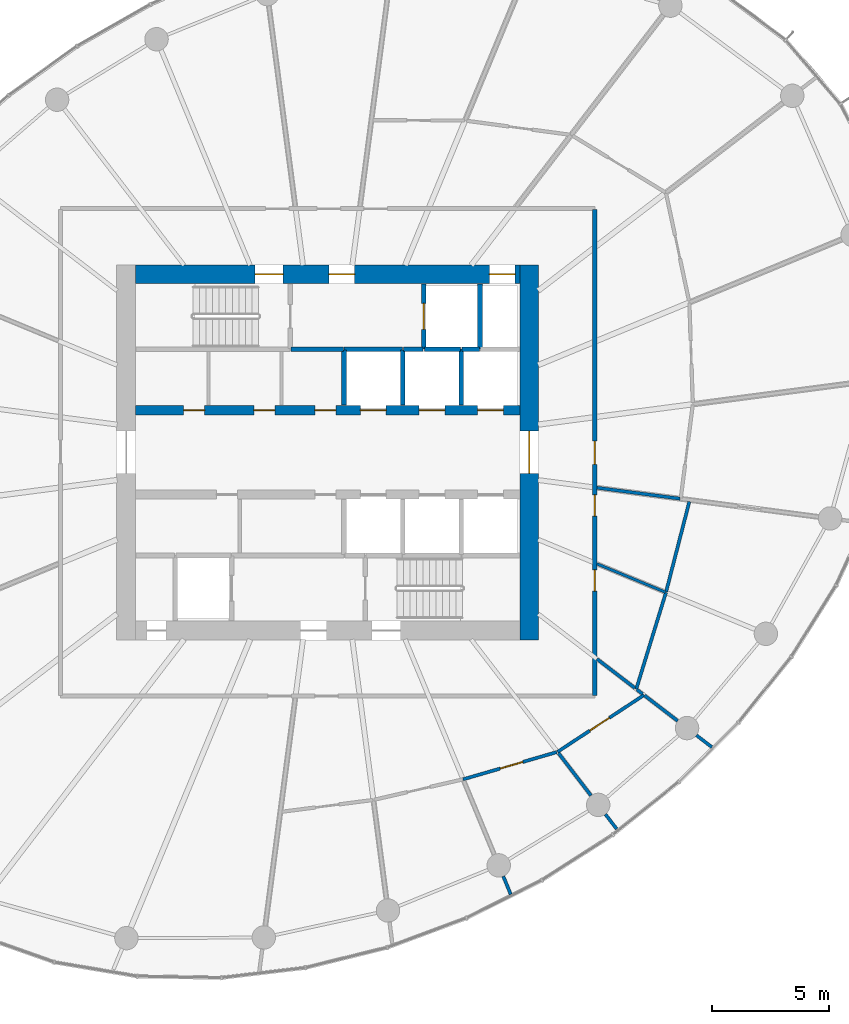
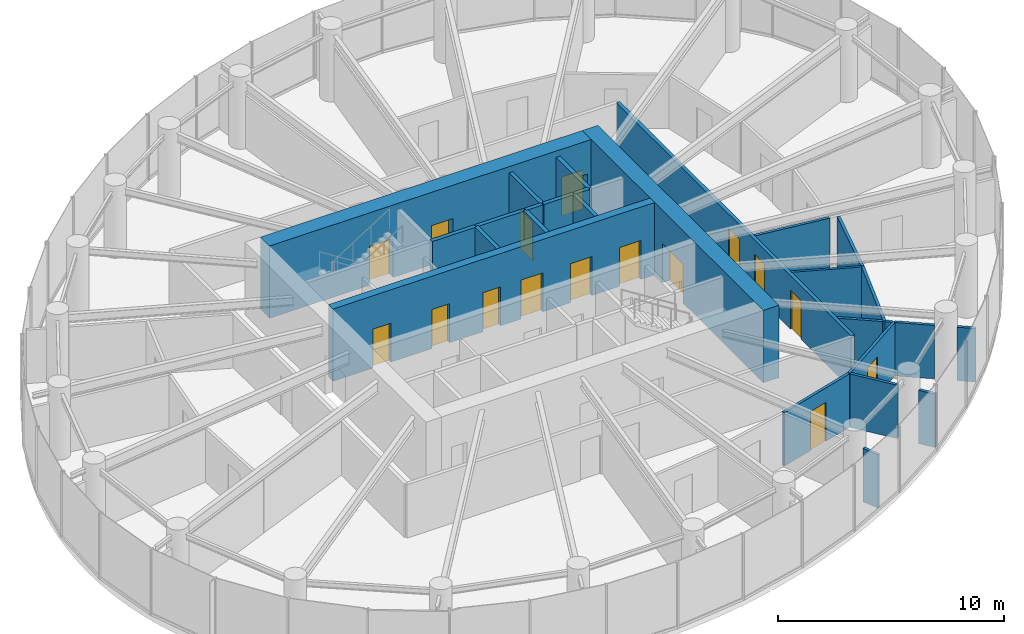
# One storey, part 10 of 14: 27 walls, 16 doors, 16 openings.
"""IFC4 building model written with IfcOpenShell, lengths in metres."""

from ifc_helpers import new_model, si_unit, direction, frame, frame_2d, origin, place, context, subcontext, project, spatial, rectangle, extrude, source, transform, mapped, material, layer, layer_set, type_object, element, fill, save


model = new_model("IFC4")

# Units and contexts
model_context = context("Model", 3, precision=1e-05, world=origin(), true_north=direction((0.0, 1.0)))
body_context = subcontext(model_context, "Body", "Model", "MODEL_VIEW")
ifc_project = project(units=[si_unit("LENGTHUNIT", "METRE"), si_unit("AREAUNIT", "SQUARE_METRE"), si_unit("VOLUMEUNIT", "CUBIC_METRE"), si_unit("PLANEANGLEUNIT", "RADIAN"), si_unit("MASSUNIT", "GRAM", prefix="KILO")], contexts=[model_context])

# Site, building, storey
site_placement = place(None, origin())
site = spatial("IfcSite", under=ifc_project, at=site_placement, CompositionType="ELEMENT")
building_placement = place(site_placement, origin())
building = spatial("IfcBuilding", under=site, at=building_placement, Name="Spindrift Exchange Tower", CompositionType="ELEMENT")
storey_placement = place(building_placement, frame((0.0, 0.0, 144.800048828125)))
storey = spatial("IfcBuildingStorey", under=building, at=storey_placement, Name="L34", CompositionType="ELEMENT", Elevation=144.800048828125)

# Wall, opening, door
ifc_material_1 = material(Name="Concrete 65 MPa", Category="concrete")
ifc_layer_1 = layer(ifc_material_1, 0.800048828125)
ifc_layer_set_1 = layer_set([ifc_layer_1], Name="RC Core Wall 800 Concrete 65 MPa")
wall_type_1 = type_object("IfcWallType", Name="RC Core Wall 800 Concrete 65 MPa", PredefinedType="SHEAR", material=ifc_layer_set_1)
wall_1_placement = place(storey_placement, frame((60.60009765625, 40.0, 0.0), z_axis=(0.0, 0.0, 1.0), x_axis=(0.0, 1.0, 0.0)))
wall_1 = element("IfcWall", 1, at=wall_1_placement, inside=storey, type_object=wall_type_1, Name="Core wall E L34", PredefinedType="SHEAR", context=body_context, shape_type="SweptSolid", body=[
    extrude(rectangle(XDim=16.0, YDim=0.800048828125, at=frame_2d((8.0, 0.0))), origin(), (0.0, 0.0, 1.0), 3.89990234375),
])
opening_1_placement = place(wall_1_placement, frame((7.10009765625, 0.0, 0.0)))
opening_1 = element("IfcOpeningElement", 2, at=opening_1_placement, cuts=wall_1, Name="Opening L34-D2", PredefinedType="OPENING", context=body_context, shape_type="SweptSolid", body=[
    extrude(rectangle(XDim=1.800048828125, YDim=2.10009765625, at=frame_2d((0.89990234375, 1.050048828125))), frame((0.0, 0.409912109375, 0.0), z_axis=(0.0, -1.0, 0.0), x_axis=(1.0, 0.0, 0.0)), (0.0, 0.0, 1.0), 0.820068359375),
])
ifc_material_2 = material(Name="Timber-core fire door", Category="wood")
door_type_1 = type_object("IfcDoorType", Name="DR-LOBBY-1800", OperationType="NOTDEFINED", PredefinedType="DOOR", material=ifc_material_2)
shared_shape_1 = source(origin(), body_context, "Body", "SweptSolid", [
    extrude(rectangle(XDim=1.800048828125, YDim=2.10009765625, at=frame_2d((0.89990234375, 1.050048828125))), frame((0.0, 0.02490234375, 0.0), z_axis=(0.0, -1.0, 0.0), x_axis=(1.0, 0.0, 0.0)), (0.0, 0.0, 1.0), 0.050048828125),
])
door_1_placement = place(opening_1_placement, origin())
door_1 = element("IfcDoor", 3, at=door_1_placement, inside=storey, type_object=door_type_1, Name="L34 Lobby door 2", OperationType="SINGLE_SWING_RIGHT", OverallHeight=2.10009765625, OverallWidth=1.800048828125, PredefinedType="DOOR", context=body_context, shape_type="MappedRepresentation", body=[
    mapped(shared_shape_1, transform((0.0, 0.0, 0.0), scale=1.0)),
])
fill(opening_1, door_1)

# Wall, openings, doors
wall_2_placement = place(storey_placement, frame((60.199951171875, 55.60009765625, 0.0), z_axis=(0.0, 0.0, 1.0), x_axis=(-1.0, 0.0, 0.0)))
wall_2 = element("IfcWall", 4, at=wall_2_placement, inside=storey, type_object=wall_type_1, Name="Core wall N L34", PredefinedType="SHEAR", context=body_context, shape_type="SweptSolid", body=[
    extrude(rectangle(XDim=16.39990234375, YDim=0.800048828125, at=frame_2d((8.199951171875, 0.0))), origin(), (0.0, 0.0, 1.0), 3.89990234375),
])
opening_2_placement = place(wall_2_placement, frame((0.199951171875, 0.0, 0.0)))
opening_2 = element("IfcOpeningElement", 5, at=opening_2_placement, cuts=wall_2, Name="Opening L34-D11", PredefinedType="OPENING", context=body_context, shape_type="SweptSolid", body=[
    extrude(rectangle(XDim=1.10009765625, YDim=2.10009765625, at=frame_2d((0.550048828125, 1.050048828125))), frame((0.0, 0.409912109375, 0.0), z_axis=(0.0, -1.0, 0.0), x_axis=(1.0, 0.0, 0.0)), (0.0, 0.0, 1.0), 0.820068359375),
])
opening_3_placement = place(wall_2_placement, frame((10.10009765625, 0.0, 0.0)))
opening_3 = element("IfcOpeningElement", 6, at=opening_3_placement, cuts=wall_2, Name="Opening L34-D12", PredefinedType="OPENING", context=body_context, shape_type="SweptSolid", body=[
    extrude(rectangle(XDim=1.199951171875, YDim=2.10009765625, at=frame_2d((0.60009765625, 1.050048828125))), frame((0.0, 0.409912109375, 0.0), z_axis=(0.0, -1.0, 0.0), x_axis=(1.0, 0.0, 0.0)), (0.0, 0.0, 1.0), 0.820068359375),
])
opening_4_placement = place(wall_2_placement, frame((7.050048828125, 0.0, 0.0)))
opening_4 = element("IfcOpeningElement", 7, at=opening_4_placement, cuts=wall_2, Name="Opening L34-D14", PredefinedType="OPENING", context=body_context, shape_type="SweptSolid", body=[
    extrude(rectangle(XDim=1.10009765625, YDim=2.10009765625, at=frame_2d((0.550048828125, 1.050048828125))), frame((0.0, 0.409912109375, 0.0), z_axis=(0.0, -1.0, 0.0), x_axis=(1.0, 0.0, 0.0)), (0.0, 0.0, 1.0), 0.820068359375),
])
ifc_material_3 = material(Name="Stainless steel landing door", Category="steel")
door_type_2 = type_object("IfcDoorType", Name="DR-LANDING-1100-SL", OperationType="DOUBLE_DOOR_SLIDING", PredefinedType="USERDEFINED", material=ifc_material_3)
shared_shape_2 = source(origin(), body_context, "Body", "SweptSolid", [
    extrude(rectangle(XDim=1.10009765625, YDim=2.10009765625, at=frame_2d((0.550048828125, 1.050048828125))), frame((0.0, 0.02490234375, 0.0), z_axis=(0.0, -1.0, 0.0), x_axis=(1.0, 0.0, 0.0)), (0.0, 0.0, 1.0), 0.050048828125),
])
door_2_placement = place(opening_2_placement, origin())
door_2 = element("IfcDoor", 8, at=door_2_placement, inside=storey, type_object=door_type_2, Name="L34 Lift landing door 11", ObjectType="LANDING DOOR", OperationType="DOUBLE_DOOR_SLIDING", OverallHeight=2.10009765625, OverallWidth=1.10009765625, PredefinedType="USERDEFINED", context=body_context, shape_type="MappedRepresentation", body=[
    mapped(shared_shape_2, transform((0.0, 0.0, 0.0), scale=1.0)),
])
fill(opening_2, door_2)
ifc_material_4 = material(Name="Steel fire door", Category="steel")
door_type_3 = type_object("IfcDoorType", Name="DR-STAIR-1200", OperationType="NOTDEFINED", PredefinedType="DOOR", material=ifc_material_4)
shared_shape_3 = source(origin(), body_context, "Body", "SweptSolid", [
    extrude(rectangle(XDim=1.199951171875, YDim=2.10009765625, at=frame_2d((0.60009765625, 1.050048828125))), frame((0.0, 0.02490234375, 0.0), z_axis=(0.0, -1.0, 0.0), x_axis=(1.0, 0.0, 0.0)), (0.0, 0.0, 1.0), 0.050048828125),
])
door_3_placement = place(opening_3_placement, origin())
door_3 = element("IfcDoor", 9, at=door_3_placement, inside=storey, type_object=door_type_3, Name="L34 Stair door 12", OperationType="SINGLE_SWING_LEFT", OverallHeight=2.10009765625, OverallWidth=1.199951171875, PredefinedType="DOOR", context=body_context, shape_type="MappedRepresentation", body=[
    mapped(shared_shape_3, transform((0.0, 0.0, 0.0), scale=1.0)),
])
fill(opening_3, door_3)
door_type_4 = type_object("IfcDoorType", Name="DR-LOBBY-1100", OperationType="NOTDEFINED", PredefinedType="DOOR", material=ifc_material_2)
shared_shape_4 = source(origin(), body_context, "Body", "SweptSolid", [
    extrude(rectangle(XDim=1.10009765625, YDim=2.10009765625, at=frame_2d((0.550048828125, 1.050048828125))), frame((0.0, 0.02490234375, 0.0), z_axis=(0.0, -1.0, 0.0), x_axis=(1.0, 0.0, 0.0)), (0.0, 0.0, 1.0), 0.050048828125),
])
door_4_placement = place(opening_4_placement, origin())
door_4 = element("IfcDoor", 10, at=door_4_placement, inside=storey, type_object=door_type_4, Name="L34 Lobby door 14", OperationType="SINGLE_SWING_LEFT", OverallHeight=2.10009765625, OverallWidth=1.10009765625, PredefinedType="DOOR", context=body_context, shape_type="MappedRepresentation", body=[
    mapped(shared_shape_4, transform((0.0, 0.0, 0.0), scale=1.0)),
])
fill(opening_4, door_4)

ifc_layer_2 = layer(ifc_material_1, 0.39990234375)
ifc_layer_set_2 = layer_set([ifc_layer_2], Name="RC Spine Wall 400 Concrete 65 MPa")
wall_type_2 = type_object("IfcWallType", Name="RC Spine Wall 400 Concrete 65 MPa", PredefinedType="SHEAR", material=ifc_layer_set_2)
wall_3_placement = place(storey_placement, frame((43.800048828125, 49.800048828125, 0.0), z_axis=(0.0, 0.0, 1.0), x_axis=(1.0, 0.0, 0.0)))
wall_3 = element("IfcWall", 11, at=wall_3_placement, inside=storey, type_object=wall_type_2, Name="Core spine wall N L34", PredefinedType="SHEAR", context=body_context, shape_type="SweptSolid", body=[
    extrude(rectangle(XDim=16.39990234375, YDim=0.39990234375, at=frame_2d((8.199951171875, 0.0))), origin(), (0.0, 0.0, 1.0), 3.89990234375),
])
opening_5_placement = place(wall_3_placement, frame((9.60009765625, 0.0, 0.0)))
opening_5 = element("IfcOpeningElement", 12, at=opening_5_placement, cuts=wall_3, Name="Opening L34-D3", PredefinedType="OPENING", context=body_context, shape_type="SweptSolid", body=[
    extrude(rectangle(XDim=1.10009765625, YDim=2.10009765625, at=frame_2d((0.550048828125, 1.050048828125))), frame((0.0, 0.2099609375, 0.0), z_axis=(0.0, -1.0, 0.0), x_axis=(1.0, 0.0, 0.0)), (0.0, 0.0, 1.0), 0.419921875),
])
opening_6_placement = place(wall_3_placement, frame((12.10009765625, 0.0, 0.0)))
opening_6 = element("IfcOpeningElement", 13, at=opening_6_placement, cuts=wall_3, Name="Opening L34-D4", PredefinedType="OPENING", context=body_context, shape_type="SweptSolid", body=[
    extrude(rectangle(XDim=1.10009765625, YDim=2.10009765625, at=frame_2d((0.550048828125, 1.050048828125))), frame((0.0, 0.2099609375, 0.0), z_axis=(0.0, -1.0, 0.0), x_axis=(1.0, 0.0, 0.0)), (0.0, 0.0, 1.0), 0.419921875),
])
opening_7_placement = place(wall_3_placement, frame((14.60009765625, 0.0, 0.0)))
opening_7 = element("IfcOpeningElement", 14, at=opening_7_placement, cuts=wall_3, Name="Opening L34-D5", PredefinedType="OPENING", context=body_context, shape_type="SweptSolid", body=[
    extrude(rectangle(XDim=1.10009765625, YDim=2.10009765625, at=frame_2d((0.550048828125, 1.050048828125))), frame((0.0, 0.2099609375, 0.0), z_axis=(0.0, -1.0, 0.0), x_axis=(1.0, 0.0, 0.0)), (0.0, 0.0, 1.0), 0.419921875),
])
opening_8_placement = place(wall_3_placement, frame((2.050048828125, 0.0, 0.0)))
opening_8 = element("IfcOpeningElement", 15, at=opening_8_placement, cuts=wall_3, Name="Opening L34-D42", PredefinedType="OPENING", context=body_context, shape_type="SweptSolid", body=[
    extrude(rectangle(XDim=0.89990234375, YDim=2.10009765625, at=frame_2d((0.449951171875, 1.050048828125))), frame((0.0, 0.2099609375, 0.0), z_axis=(0.0, -1.0, 0.0), x_axis=(1.0, 0.0, 0.0)), (0.0, 0.0, 1.0), 0.419921875),
])
opening_9_placement = place(wall_3_placement, frame((5.050048828125, 0.0, 0.0)))
opening_9 = element("IfcOpeningElement", 16, at=opening_9_placement, cuts=wall_3, Name="Opening L34-D43", PredefinedType="OPENING", context=body_context, shape_type="SweptSolid", body=[
    extrude(rectangle(XDim=0.89990234375, YDim=2.10009765625, at=frame_2d((0.449951171875, 1.050048828125))), frame((0.0, 0.2099609375, 0.0), z_axis=(0.0, -1.0, 0.0), x_axis=(1.0, 0.0, 0.0)), (0.0, 0.0, 1.0), 0.419921875),
])
opening_10_placement = place(wall_3_placement, frame((7.64990234375, 0.0, 0.0)))
opening_10 = element("IfcOpeningElement", 17, at=opening_10_placement, cuts=wall_3, Name="Opening L34-D44", PredefinedType="OPENING", context=body_context, shape_type="SweptSolid", body=[
    extrude(rectangle(XDim=0.89990234375, YDim=2.10009765625, at=frame_2d((0.449951171875, 1.050048828125))), frame((0.0, 0.2099609375, 0.0), z_axis=(0.0, -1.0, 0.0), x_axis=(1.0, 0.0, 0.0)), (0.0, 0.0, 1.0), 0.419921875),
])
door_5_placement = place(opening_5_placement, origin())
door_5 = element("IfcDoor", 18, at=door_5_placement, inside=storey, type_object=door_type_2, Name="L34 Lift landing door 3", ObjectType="LANDING DOOR", OperationType="DOUBLE_DOOR_SLIDING", OverallHeight=2.10009765625, OverallWidth=1.10009765625, PredefinedType="USERDEFINED", context=body_context, shape_type="MappedRepresentation", body=[
    mapped(shared_shape_2, transform((0.0, 0.0, 0.0), scale=1.0)),
])
fill(opening_5, door_5)
door_6_placement = place(opening_6_placement, origin())
door_6 = element("IfcDoor", 19, at=door_6_placement, inside=storey, type_object=door_type_2, Name="L34 Lift landing door 4", ObjectType="LANDING DOOR", OperationType="DOUBLE_DOOR_SLIDING", OverallHeight=2.10009765625, OverallWidth=1.10009765625, PredefinedType="USERDEFINED", context=body_context, shape_type="MappedRepresentation", body=[
    mapped(shared_shape_2, transform((0.0, 0.0, 0.0), scale=1.0)),
])
fill(opening_6, door_6)
door_7_placement = place(opening_7_placement, origin())
door_7 = element("IfcDoor", 20, at=door_7_placement, inside=storey, type_object=door_type_2, Name="L34 Lift landing door 5", ObjectType="LANDING DOOR", OperationType="DOUBLE_DOOR_SLIDING", OverallHeight=2.10009765625, OverallWidth=1.10009765625, PredefinedType="USERDEFINED", context=body_context, shape_type="MappedRepresentation", body=[
    mapped(shared_shape_2, transform((0.0, 0.0, 0.0), scale=1.0)),
])
fill(opening_7, door_7)
ifc_material_5 = material(Name="Steel access door", Category="steel")
door_type_5 = type_object("IfcDoorType", Name="DR-RISER-900", OperationType="NOTDEFINED", PredefinedType="DOOR", material=ifc_material_5)
shared_shape_5 = source(origin(), body_context, "Body", "SweptSolid", [
    extrude(rectangle(XDim=0.89990234375, YDim=2.10009765625, at=frame_2d((0.449951171875, 1.050048828125))), frame((0.0, 0.02490234375, 0.0), z_axis=(0.0, -1.0, 0.0), x_axis=(1.0, 0.0, 0.0)), (0.0, 0.0, 1.0), 0.050048828125),
])
door_8_placement = place(opening_8_placement, origin())
door_8 = element("IfcDoor", 21, at=door_8_placement, inside=storey, type_object=door_type_5, Name="L34 Riser door 42", OperationType="SINGLE_SWING_LEFT", OverallHeight=2.10009765625, OverallWidth=0.89990234375, PredefinedType="DOOR", context=body_context, shape_type="MappedRepresentation", body=[
    mapped(shared_shape_5, transform((0.0, 0.0, 0.0), scale=1.0)),
])
fill(opening_8, door_8)
door_9_placement = place(opening_9_placement, origin())
door_9 = element("IfcDoor", 22, at=door_9_placement, inside=storey, type_object=door_type_5, Name="L34 Riser door 43", OperationType="SINGLE_SWING_RIGHT", OverallHeight=2.10009765625, OverallWidth=0.89990234375, PredefinedType="DOOR", context=body_context, shape_type="MappedRepresentation", body=[
    mapped(shared_shape_5, transform((0.0, 0.0, 0.0), scale=1.0)),
])
fill(opening_9, door_9)
door_10_placement = place(opening_10_placement, origin())
door_10 = element("IfcDoor", 23, at=door_10_placement, inside=storey, type_object=door_type_5, Name="L34 Riser door 44", OperationType="SINGLE_SWING_LEFT", OverallHeight=2.10009765625, OverallWidth=0.89990234375, PredefinedType="DOOR", context=body_context, shape_type="MappedRepresentation", body=[
    mapped(shared_shape_5, transform((0.0, 0.0, 0.0), scale=1.0)),
])
fill(opening_10, door_10)

ifc_material_6 = material(Name="Fire-rated plasterboard partition", Category="gypsum")
ifc_layer_3 = layer(ifc_material_6, 0.179931640625)
ifc_layer_set_3 = layer_set([ifc_layer_3], Name="W-CORR-180")
wall_type_3 = type_object("IfcWallType", Name="W-CORR-180", PredefinedType="PARTITIONING", material=ifc_layer_set_3)
wall_4_placement = place(storey_placement, frame((63.39990234375, 58.3701171875, 0.0), z_axis=(0.0, 0.0, 1.0), x_axis=(0.0, -1.0, 0.0)))
wall_4 = element("IfcWall", 24, at=wall_4_placement, inside=storey, type_object=wall_type_3, Name="L34 Partition wall 29", PredefinedType="PARTITIONING", context=body_context, shape_type="SweptSolid", body=[
    extrude(rectangle(XDim=20.740234375, YDim=0.179931640625, at=frame_2d((10.3701171875, 0.0))), origin(), (0.0, 0.0, 1.0), 2.8798828125),
])
opening_11_placement = place(wall_4_placement, frame((15.389892578125, 0.0, 0.0)))
opening_11 = element("IfcOpeningElement", 25, at=opening_11_placement, cuts=wall_4, Name="Opening L34-D19", PredefinedType="OPENING", context=body_context, shape_type="SweptSolid", body=[
    extrude(rectangle(XDim=0.89990234375, YDim=2.10009765625, at=frame_2d((0.449951171875, 1.050048828125))), frame((0.0, 0.099853515625, 0.0), z_axis=(0.0, -1.0, 0.0), x_axis=(1.0, 0.0, 0.0)), (0.0, 0.0, 1.0), 0.199951171875),
])
opening_12_placement = place(wall_4_placement, frame((12.18994140625, 0.0, 0.0)))
opening_12 = element("IfcOpeningElement", 26, at=opening_12_placement, cuts=wall_4, Name="Opening L34-D20", PredefinedType="OPENING", context=body_context, shape_type="SweptSolid", body=[
    extrude(rectangle(XDim=0.89990234375, YDim=2.10009765625, at=frame_2d((0.449951171875, 1.050048828125))), frame((0.0, 0.099853515625, 0.0), z_axis=(0.0, -1.0, 0.0), x_axis=(1.0, 0.0, 0.0)), (0.0, 0.0, 1.0), 0.199951171875),
])
opening_13_placement = place(wall_4_placement, frame((9.889892578125, 0.0, 0.0)))
opening_13 = element("IfcOpeningElement", 27, at=opening_13_placement, cuts=wall_4, Name="Opening L34-D21", PredefinedType="OPENING", context=body_context, shape_type="SweptSolid", body=[
    extrude(rectangle(XDim=1.0, YDim=2.10009765625, at=frame_2d((0.5, 1.050048828125))), frame((0.0, 0.099853515625, 0.0), z_axis=(0.0, -1.0, 0.0), x_axis=(1.0, 0.0, 0.0)), (0.0, 0.0, 1.0), 0.199951171875),
])
door_type_6 = type_object("IfcDoorType", Name="DR-ROOM-1000", OperationType="NOTDEFINED", PredefinedType="DOOR", material=ifc_material_2)
shared_shape_6 = source(origin(), body_context, "Body", "SweptSolid", [
    extrude(rectangle(XDim=1.0, YDim=2.10009765625, at=frame_2d((0.5, 1.050048828125))), frame((0.0, 0.02490234375, 0.0), z_axis=(0.0, -1.0, 0.0), x_axis=(1.0, 0.0, 0.0)), (0.0, 0.0, 1.0), 0.050048828125),
])
door_11_placement = place(opening_13_placement, origin())
door_11 = element("IfcDoor", 28, at=door_11_placement, inside=storey, type_object=door_type_6, Name="L34 Door 21", OperationType="SINGLE_SWING_RIGHT", OverallHeight=2.10009765625, OverallWidth=1.0, PredefinedType="DOOR", context=body_context, shape_type="MappedRepresentation", body=[
    mapped(shared_shape_6, transform((0.0, 0.0, 0.0), scale=1.0)),
])
fill(opening_13, door_11)
ifc_material_7 = material(Name="Laminate washroom door", Category="wood")
door_type_7 = type_object("IfcDoorType", Name="DR-WC-900", OperationType="NOTDEFINED", PredefinedType="DOOR", material=ifc_material_7)
shared_shape_7 = source(origin(), body_context, "Body", "SweptSolid", [
    extrude(rectangle(XDim=0.89990234375, YDim=2.10009765625, at=frame_2d((0.449951171875, 1.050048828125))), frame((0.0, 0.02490234375, 0.0), z_axis=(0.0, -1.0, 0.0), x_axis=(1.0, 0.0, 0.0)), (0.0, 0.0, 1.0), 0.050048828125),
])
door_12_placement = place(opening_11_placement, origin())
door_12 = element("IfcDoor", 29, at=door_12_placement, inside=storey, type_object=door_type_7, Name="L34 WC door 19", OperationType="SINGLE_SWING_RIGHT", OverallHeight=2.10009765625, OverallWidth=0.89990234375, PredefinedType="DOOR", context=body_context, shape_type="MappedRepresentation", body=[
    mapped(shared_shape_7, transform((0.0, 0.0, 0.0), scale=1.0)),
])
fill(opening_11, door_12)
door_13_placement = place(opening_12_placement, origin())
door_13 = element("IfcDoor", 30, at=door_13_placement, inside=storey, type_object=door_type_7, Name="L34 WC door 20", OperationType="SINGLE_SWING_LEFT", OverallHeight=2.10009765625, OverallWidth=0.89990234375, PredefinedType="DOOR", context=body_context, shape_type="MappedRepresentation", body=[
    mapped(shared_shape_7, transform((0.0, 0.0, 0.0), scale=1.0)),
])
fill(opening_12, door_13)

# Wall, opening, door
ifc_layer_4 = layer(ifc_material_6, 0.139892578125)
ifc_layer_set_4 = layer_set([ifc_layer_4], Name="W-PART-140")
wall_type_4 = type_object("IfcWallType", Name="W-PART-140", PredefinedType="PARTITIONING", material=ifc_layer_set_4)
wall_5_placement = place(storey_placement, frame((65.49853515625, 37.64208984375, 0.0), z_axis=(0.0, 0.0, 1.0), x_axis=(-0.835791023709, -0.549047688901, 0.0)))
wall_5 = element("IfcWall", 31, at=wall_5_placement, inside=storey, type_object=wall_type_4, Name="L34 Partition wall 48", PredefinedType="PARTITIONING", context=body_context, shape_type="SweptSolid", body=[
    extrude(rectangle(XDim=4.41552734375, YDim=0.139892578125, at=frame_2d((2.207763671875, 0.0))), origin(), (0.0, 0.0, 1.0), 2.8798828125),
])
opening_14_placement = place(wall_5_placement, frame((1.765380859375, 0.0, 0.0)))
opening_14 = element("IfcOpeningElement", 32, at=opening_14_placement, cuts=wall_5, Name="Opening L34-D41", PredefinedType="OPENING", context=body_context, shape_type="SweptSolid", body=[
    extrude(rectangle(XDim=1.0, YDim=2.10009765625, at=frame_2d((0.5, 1.050048828125))), frame((0.0, 0.079833984375, 0.0), z_axis=(0.0, -1.0, 0.0), x_axis=(1.0, 0.0, 0.0)), (0.0, 0.0, 1.0), 0.159912109375),
])
door_14_placement = place(opening_14_placement, origin())
door_14 = element("IfcDoor", 33, at=door_14_placement, inside=storey, type_object=door_type_6, Name="L34 Door 41", OperationType="SINGLE_SWING_RIGHT", OverallHeight=2.10009765625, OverallWidth=1.0, PredefinedType="DOOR", context=body_context, shape_type="MappedRepresentation", body=[
    mapped(shared_shape_6, transform((0.0, 0.0, 0.0), scale=1.0)),
])
fill(opening_14, door_14)

# Wall
wall_6_placement = place(storey_placement, frame((65.167724609375, 37.89599609375, 0.0), z_axis=(0.0, 0.0, 1.0), x_axis=(0.29375186903, 0.95588170787, 0.0)))
element("IfcWall", 34, at=wall_6_placement, inside=storey, type_object=wall_type_4, Name="L34 Partition wall 51", PredefinedType="PARTITIONING", context=body_context, shape_type="SweptSolid", body=[
    extrude(rectangle(XDim=4.315185546875, YDim=0.139892578125, at=frame_2d((2.15771484375, 0.0))), origin(), (0.0, 0.0, 1.0), 2.8798828125),
])

# Wall, opening, door
wall_7_placement = place(storey_placement, frame((61.779296875, 35.209228515625, 0.0), z_axis=(0.0, 0.0, 1.0), x_axis=(-0.960185577339, -0.279362948635, 0.0)))
wall_7 = element("IfcWall", 35, at=wall_7_placement, inside=storey, type_object=wall_type_4, Name="L34 Partition wall 54", PredefinedType="PARTITIONING", context=body_context, shape_type="SweptSolid", body=[
    extrude(rectangle(XDim=4.1650390625, YDim=0.139892578125, at=frame_2d((2.08251953125, 0.0))), origin(), (0.0, 0.0, 1.0), 2.8798828125),
])
opening_15_placement = place(wall_7_placement, frame((1.51513671875, 0.0, 0.0)))
opening_15 = element("IfcOpeningElement", 36, at=opening_15_placement, cuts=wall_7, Name="Opening L34-D40", PredefinedType="OPENING", context=body_context, shape_type="SweptSolid", body=[
    extrude(rectangle(XDim=1.0, YDim=2.10009765625, at=frame_2d((0.5, 1.050048828125))), frame((0.0, 0.079833984375, 0.0), z_axis=(0.0, -1.0, 0.0), x_axis=(1.0, 0.0, 0.0)), (0.0, 0.0, 1.0), 0.159912109375),
])
door_15_placement = place(opening_15_placement, origin())
door_15 = element("IfcDoor", 37, at=door_15_placement, inside=storey, type_object=door_type_6, Name="L34 Door 40", OperationType="SINGLE_SWING_LEFT", OverallHeight=2.10009765625, OverallWidth=1.0, PredefinedType="DOOR", context=body_context, shape_type="MappedRepresentation", body=[
    mapped(shared_shape_6, transform((0.0, 0.0, 0.0), scale=1.0)),
])
fill(opening_15, door_15)

# Walls
wall_8_placement = place(storey_placement, frame((66.442626953125, 42.0498046875, 0.0), z_axis=(0.0, 0.0, 1.0), x_axis=(0.249469158669, 0.968382743998, 0.0)))
element("IfcWall", 38, at=wall_8_placement, inside=storey, type_object=wall_type_4, Name="L34 Partition wall 55", PredefinedType="PARTITIONING", context=body_context, shape_type="SweptSolid", body=[
    extrude(rectangle(XDim=3.973388671875, YDim=0.139892578125, at=frame_2d((1.98681640625, 0.0))), origin(), (0.0, 0.0, 1.0), 2.8798828125),
])
wall_9_placement = place(storey_placement, frame((63.489990234375, 46.4873046875, 0.0), z_axis=(0.0, 0.0, 1.0), x_axis=(0.991447785983, -0.130503975686, 0.0)))
element("IfcWall", 39, at=wall_9_placement, inside=storey, type_object=wall_type_4, Name="L34 Partition wall 62", PredefinedType="PARTITIONING", context=body_context, shape_type="SweptSolid", body=[
    extrude(rectangle(XDim=3.574951171875, YDim=0.139892578125, at=frame_2d((1.78759765625, 0.0))), origin(), (0.0, 0.0, 1.0), 2.8798828125),
])
wall_10_placement = place(storey_placement, frame((65.191650390625, 37.877685546875, 0.0), z_axis=(0.0, 0.0, 1.0), x_axis=(0.793204085438, -0.608955892364, 0.0)))
element("IfcWall", 40, at=wall_10_placement, inside=storey, type_object=wall_type_4, Name="L34 Partition wall 65", PredefinedType="PARTITIONING", context=body_context, shape_type="SweptSolid", body=[
    extrude(rectangle(XDim=0.312744140625, YDim=0.139892578125, at=frame_2d((0.15625, 0.0))), origin(), (0.0, 0.0, 1.0), 2.8798828125),
])
wall_11_placement = place(storey_placement, frame((63.489990234375, 39.183349609375, 0.0), z_axis=(0.0, 0.0, 1.0), x_axis=(0.793375181689, -0.608732963688, 0.0)))
element("IfcWall", 41, at=wall_11_placement, inside=storey, type_object=wall_type_4, Name="L34 Partition wall 66", PredefinedType="PARTITIONING", context=body_context, shape_type="SweptSolid", body=[
    extrude(rectangle(XDim=2.040283203125, YDim=0.139892578125, at=frame_2d((1.02001953125, 0.0))), origin(), (0.0, 0.0, 1.0), 2.8798828125),
])
wall_12_placement = place(storey_placement, frame((61.85107421875, 35.162109375, 0.0), z_axis=(0.0, 0.0, 1.0), x_axis=(0.608663396488, -0.793428553668, 0.0)))
element("IfcWall", 42, at=wall_12_placement, inside=storey, type_object=wall_type_4, Name="L34 Partition wall 70", PredefinedType="PARTITIONING", context=body_context, shape_type="SweptSolid", body=[
    extrude(rectangle(XDim=2.276611328125, YDim=0.139892578125, at=frame_2d((1.13818359375, 0.0))), origin(), (0.0, 0.0, 1.0), 2.8798828125),
])
wall_13_placement = place(storey_placement, frame((66.93603515625, 36.5390625, 0.0), z_axis=(0.0, 0.0, 1.0), x_axis=(-0.793392416666, 0.608710500301, 0.0)))
element("IfcWall", 43, at=wall_13_placement, inside=storey, type_object=wall_type_4, Name="L34 Partition wall 71", PredefinedType="PARTITIONING", context=body_context, shape_type="SweptSolid", body=[
    extrude(rectangle(XDim=1.781982421875, YDim=0.139892578125, at=frame_2d((0.89111328125, 0.0))), origin(), (0.0, 0.0, 1.0), 2.8798828125),
])
wall_14_placement = place(storey_placement, frame((59.494140625, 29.90771484375, 0.0), z_axis=(0.0, 0.0, 1.0), x_axis=(0.382618963151, -0.923906233899, 0.0)))
element("IfcWall", 44, at=wall_14_placement, inside=storey, type_object=wall_type_4, Name="L34 Partition wall 85", PredefinedType="PARTITIONING", context=body_context, shape_type="SweptSolid", body=[
    extrude(rectangle(XDim=0.833984375, YDim=0.139892578125, at=frame_2d((0.4169921875, 0.0))), origin(), (0.0, 0.0, 1.0), 2.8798828125),
])
wall_15_placement = place(storey_placement, frame((67.736572265625, 35.9248046875, 0.0), z_axis=(0.0, 0.0, 1.0), x_axis=(0.793365367908, -0.608745753992, 0.0)))
element("IfcWall", 45, at=wall_15_placement, inside=storey, type_object=wall_type_4, Name="L34 Partition wall 86", PredefinedType="PARTITIONING", context=body_context, shape_type="SweptSolid", body=[
    extrude(rectangle(XDim=0.831787109375, YDim=0.139892578125, at=frame_2d((0.416015625, 0.0))), origin(), (0.0, 0.0, 1.0), 2.8798828125),
])
wall_16_placement = place(storey_placement, frame((63.85107421875, 32.555419921875, 0.0), z_axis=(0.0, 0.0, 1.0), x_axis=(0.608800720532, -0.793323189299, 0.0)))
element("IfcWall", 46, at=wall_16_placement, inside=storey, type_object=wall_type_4, Name="L34 Partition wall 88", PredefinedType="PARTITIONING", context=body_context, shape_type="SweptSolid", body=[
    extrude(rectangle(XDim=0.791259765625, YDim=0.139892578125, at=frame_2d((0.3955078125, 0.0))), origin(), (0.0, 0.0, 1.0), 2.8798828125),
])

# Wall, opening, door
ifc_material_8 = material(Name="Concrete 40 MPa", Category="concrete")
ifc_layer_5 = layer(ifc_material_8, 0.199951171875)
ifc_layer_set_5 = layer_set([ifc_layer_5], Name="W-SHAFT-200")
wall_type_5 = type_object("IfcWallType", Name="W-SHAFT-200", PredefinedType="SOLIDWALL", material=ifc_layer_set_5)
wall_17_placement = place(storey_placement, frame((56.10009765625, 55.179931640625, 0.0), z_axis=(0.0, 0.0, 1.0), x_axis=(0.0, -1.0, 0.0)))
wall_17 = element("IfcWall", 47, at=wall_17_placement, inside=storey, type_object=wall_type_5, Name="L34 Shaft wall 7", PredefinedType="SOLIDWALL", context=body_context, shape_type="SweptSolid", body=[
    extrude(rectangle(XDim=2.780029296875, YDim=0.199951171875, at=frame_2d((1.39013671875, 0.0))), origin(), (0.0, 0.0, 1.0), 3.579833984375),
])
opening_16_placement = place(wall_17_placement, frame((0.830078125, 0.0, 0.0)))
opening_16 = element("IfcOpeningElement", 48, at=opening_16_placement, cuts=wall_17, Name="Opening L34-D9", PredefinedType="OPENING", context=body_context, shape_type="SweptSolid", body=[
    extrude(rectangle(XDim=1.10009765625, YDim=2.10009765625, at=frame_2d((0.550048828125, 1.050048828125))), frame((0.0, 0.10986328125, 0.0), z_axis=(0.0, -1.0, 0.0), x_axis=(1.0, 0.0, 0.0)), (0.0, 0.0, 1.0), 0.219970703125),
])
door_16_placement = place(opening_16_placement, origin())
door_16 = element("IfcDoor", 49, at=door_16_placement, inside=storey, type_object=door_type_2, Name="L34 Lift landing door 9", ObjectType="LANDING DOOR", OperationType="DOUBLE_DOOR_SLIDING", OverallHeight=2.10009765625, OverallWidth=1.10009765625, PredefinedType="USERDEFINED", context=body_context, shape_type="MappedRepresentation", body=[
    mapped(shared_shape_2, transform((0.0, 0.0, 0.0), scale=1.0)),
])
fill(opening_16, door_16)

# Walls
wall_18_placement = place(storey_placement, frame((58.5, 52.39990234375, 0.0), z_axis=(0.0, 0.0, 1.0), x_axis=(0.0, 1.0, 0.0)))
element("IfcWall", 50, at=wall_18_placement, inside=storey, type_object=wall_type_5, Name="L34 Shaft wall 8", PredefinedType="SOLIDWALL", context=body_context, shape_type="SweptSolid", body=[
    extrude(rectangle(XDim=2.780029296875, YDim=0.199951171875, at=frame_2d((1.39013671875, 0.0))), origin(), (0.0, 0.0, 1.0), 3.579833984375),
])
wall_19_placement = place(storey_placement, frame((55.199951171875, 52.39990234375, 0.0), z_axis=(0.0, 0.0, 1.0), x_axis=(-1.0, 0.0, 0.0)))
element("IfcWall", 51, at=wall_19_placement, inside=storey, type_object=wall_type_5, Name="L34 Shaft wall 9", PredefinedType="SOLIDWALL", context=body_context, shape_type="SweptSolid", body=[
    extrude(rectangle(XDim=2.5, YDim=0.199951171875, at=frame_2d((1.25, 0.0))), origin(), (0.0, 0.0, 1.0), 3.579833984375),
])
for number, where, z_axis, x_axis, name in (
    (52, (52.699951171875, 52.3701171875, 0.0), (0.0, 0.0, 1.0), (0.0, -1.0, 0.0), "L34 Shaft wall 14"),
    (53, (55.199951171875, 50.010009765625, 0.0), (0.0, 0.0, 1.0), (0.0, 1.0, 0.0), "L34 Shaft wall 16"),
):
    element("IfcWall", number, at=place(storey_placement, frame(where, z_axis=z_axis, x_axis=x_axis)), inside=storey, type_object=wall_type_5, Name=name, PredefinedType="SOLIDWALL", context=body_context, shape_type="SweptSolid", body=[
        extrude(rectangle(XDim=2.360107421875, YDim=0.199951171875, at=frame_2d((1.18017578125, 0.0))), origin(), (0.0, 0.0, 1.0), 3.579833984375),
    ])
wall_20_placement = place(storey_placement, frame((57.699951171875, 50.010009765625, 0.0), z_axis=(0.0, 0.0, 1.0), x_axis=(0.0, 1.0, 0.0)))
element("IfcWall", 54, at=wall_20_placement, inside=storey, type_object=wall_type_5, Name="L34 Shaft wall 18", PredefinedType="SOLIDWALL", context=body_context, shape_type="SweptSolid", body=[
    extrude(rectangle(XDim=2.389892578125, YDim=0.199951171875, at=frame_2d((1.19482421875, 0.0))), origin(), (0.0, 0.0, 1.0), 3.579833984375),
])
wall_21_placement = place(storey_placement, frame((57.669921875, 52.39990234375, 0.0), z_axis=(0.0, 0.0, 1.0), x_axis=(-1.0, 0.0, 0.0)))
element("IfcWall", 55, at=wall_21_placement, inside=storey, type_object=wall_type_5, Name="L34 Shaft wall 23", PredefinedType="SOLIDWALL", context=body_context, shape_type="SweptSolid", body=[
    extrude(rectangle(XDim=1.5400390625, YDim=0.199951171875, at=frame_2d((0.77001953125, 0.0))), origin(), (0.0, 0.0, 1.0), 3.579833984375),
])
wall_22_placement = place(storey_placement, frame((56.070068359375, 52.39990234375, 0.0), z_axis=(0.0, 0.0, 1.0), x_axis=(-1.0, 0.0, 0.0)))
element("IfcWall", 56, at=wall_22_placement, inside=storey, type_object=wall_type_5, Name="L34 Shaft wall 25", PredefinedType="SOLIDWALL", context=body_context, shape_type="SweptSolid", body=[
    extrude(rectangle(XDim=0.840087890625, YDim=0.199951171875, at=frame_2d((0.419921875, 0.0))), origin(), (0.0, 0.0, 1.0), 3.579833984375),
])
wall_23_placement = place(storey_placement, frame((58.469970703125, 52.39990234375, 0.0), z_axis=(0.0, 0.0, 1.0), x_axis=(-1.0, 0.0, 0.0)))
element("IfcWall", 57, at=wall_23_placement, inside=storey, type_object=wall_type_5, Name="L34 Shaft wall 26", PredefinedType="SOLIDWALL", context=body_context, shape_type="SweptSolid", body=[
    extrude(rectangle(XDim=0.739990234375, YDim=0.199951171875, at=frame_2d((0.3701171875, 0.0))), origin(), (0.0, 0.0, 1.0), 3.579833984375),
])
ifc_layer_6 = layer(ifc_material_8, 0.199951171875)
ifc_layer_set_6 = layer_set([ifc_layer_6], Name="W-SHAFT-200-LB")
wall_type_6 = type_object("IfcWallType", Name="W-SHAFT-200-LB", PredefinedType="SOLIDWALL", material=ifc_layer_set_6)
wall_24_placement = place(storey_placement, frame((50.429931640625, 52.39990234375, 0.0), z_axis=(0.0, 0.0, 1.0), x_axis=(1.0, 0.0, 0.0)))
element("IfcWall", 58, at=wall_24_placement, inside=storey, type_object=wall_type_6, Name="L34 Shaft wall 19", PredefinedType="SOLIDWALL", context=body_context, shape_type="SweptSolid", body=[
    extrude(rectangle(XDim=2.239990234375, YDim=0.199951171875, at=frame_2d((1.1201171875, 0.0))), origin(), (0.0, 0.0, 1.0), 3.579833984375),
])
ifc_layer_7 = layer(ifc_material_6, 0.1201171875)
ifc_layer_set_7 = layer_set([ifc_layer_7], Name="W-WET-120")
wall_type_7 = type_object("IfcWallType", Name="W-WET-120", PredefinedType="PARTITIONING", material=ifc_layer_set_7)
wall_25_placement = place(storey_placement, frame((63.489990234375, 43.24072265625, 0.0), z_axis=(0.0, 0.0, 1.0), x_axis=(0.923875488976, -0.382693194178, 0.0)))
element("IfcWall", 59, at=wall_25_placement, inside=storey, type_object=wall_type_7, Name="L34 Partition wall 89", PredefinedType="PARTITIONING", context=body_context, shape_type="SweptSolid", body=[
    extrude(rectangle(XDim=3.157958984375, YDim=0.1201171875, at=frame_2d((1.5791015625, 0.0))), origin(), (0.0, 0.0, 1.0), 2.8798828125),
])

save(model, "model.ifc")
